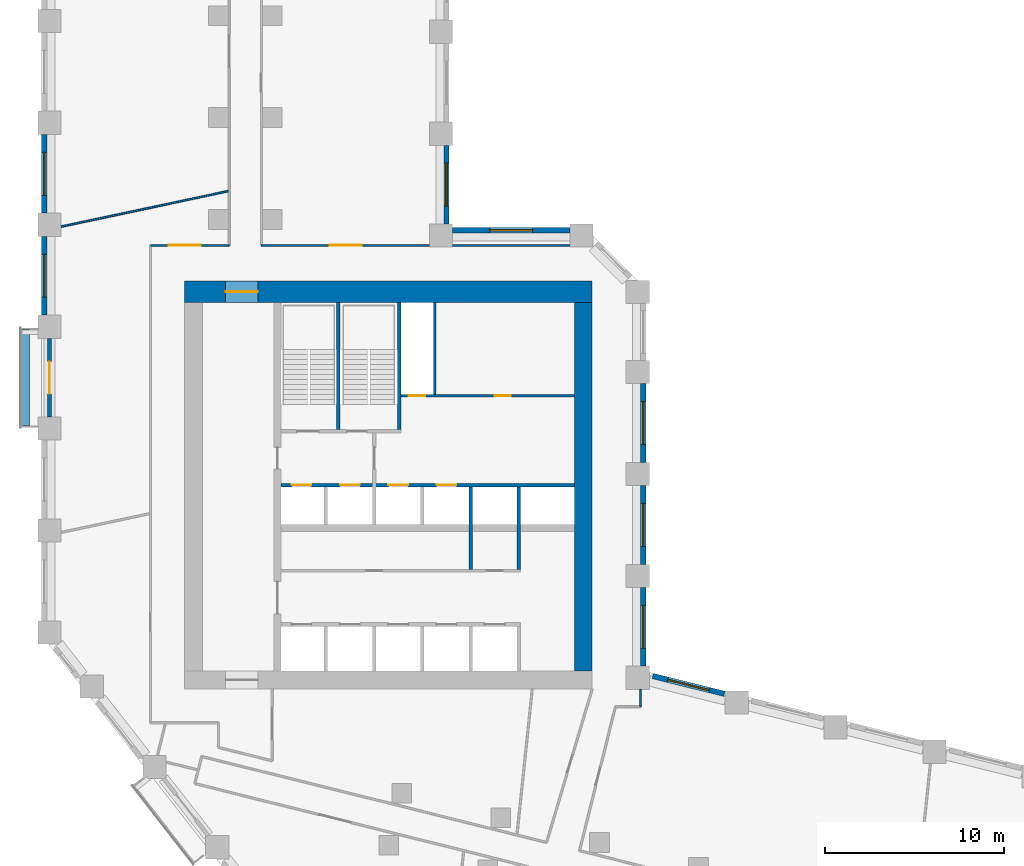
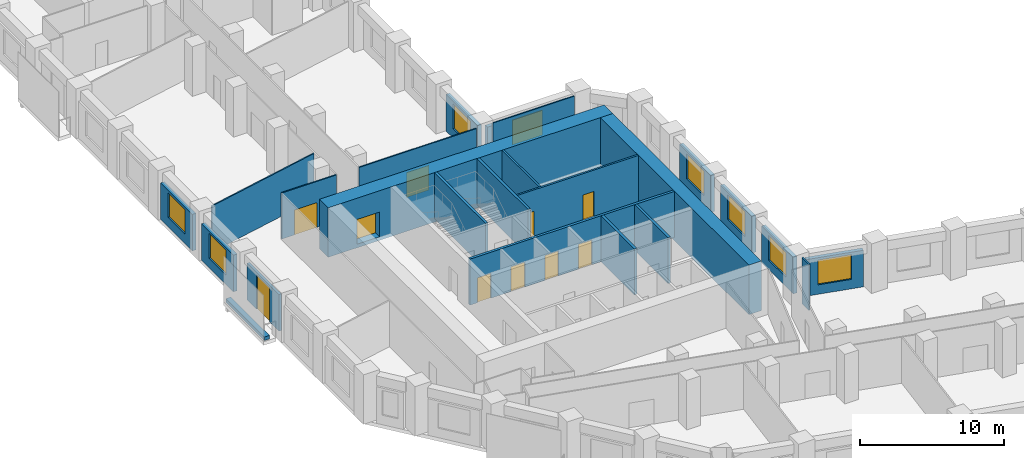
# One storey, part 5 of 11: 24 walls, 10 doors, 8 windows, 18 openings.
"""IFC4 building model written with IfcOpenShell, lengths in metres."""

from ifc_helpers import new_model, si_unit, direction, frame, frame_2d, origin, place, context, subcontext, project, spatial, rectangle, extrude, material, layer, layer_set, type_object, element, fill, save


model = new_model("IFC4")

# Units and contexts
model_context = context("Model", 3, precision=1e-05, world=origin(), true_north=direction((0.0, 1.0)))
body_context = subcontext(model_context, "Body", "Model", "MODEL_VIEW")
ifc_project = project(units=[si_unit("LENGTHUNIT", "METRE"), si_unit("AREAUNIT", "SQUARE_METRE"), si_unit("VOLUMEUNIT", "CUBIC_METRE"), si_unit("PLANEANGLEUNIT", "RADIAN"), si_unit("MASSUNIT", "GRAM", prefix="KILO")], contexts=[model_context])

# Site, building, storey
site_placement = place(None, origin())
site = spatial("IfcSite", under=ifc_project, at=site_placement, CompositionType="ELEMENT")
building_placement = place(site_placement, origin())
building = spatial("IfcBuilding", under=site, at=building_placement, Name="Meshkara Civic Tower", CompositionType="ELEMENT")
storey_placement = place(building_placement, frame((0.0, 0.0, 143.39990234375)))
storey = spatial("IfcBuildingStorey", under=building, at=storey_placement, Name="L32", CompositionType="ELEMENT", Elevation=143.39990234375)

# Wall, openings, doors
ifc_material_1 = material(Name="Blockwork", Category="masonry")
ifc_layer_1 = layer(ifc_material_1, 0.14990234375)
ifc_layer_set_1 = layer_set([ifc_layer_1], Name="Core partition 150")
wall_type_1 = type_object("IfcWallType", Name="Core partition 150", PredefinedType="PARTITIONING", material=ifc_layer_set_1)
wall_1_placement = place(storey_placement, frame((20.10009765625, 30.5, 0.0), z_axis=(0.0, 0.0, 1.0), x_axis=(1.0, 0.0, 0.0)))
wall_1 = element("IfcWall", 1, at=wall_1_placement, inside=storey, type_object=wall_type_1, Name="L32-C010", PredefinedType="PARTITIONING", context=body_context, shape_type="SweptSolid", body=[
    extrude(rectangle(XDim=9.699951171875, YDim=0.14990234375, at=frame_2d((4.85009765625, 0.0))), origin(), (0.0, 0.0, 1.0), 3.900146484375),
])
opening_1_placement = place(wall_1_placement, frame((0.449951171875, 0.0, 0.0)))
opening_1 = element("IfcOpeningElement", 2, at=opening_1_placement, cuts=wall_1, Name="Opening L32-K012", PredefinedType="OPENING", context=body_context, shape_type="SweptSolid", body=[
    extrude(rectangle(XDim=0.89990234375, YDim=2.10009765625, at=frame_2d((0.449951171875, 1.050048828125))), frame((0.0, 0.0849609375, 0.0), z_axis=(0.0, -1.0, 0.0), x_axis=(1.0, 0.0, 0.0)), (0.0, 0.0, 1.0), 0.169921875),
])
opening_2_placement = place(wall_1_placement, frame((5.25, 0.0, 0.0)))
opening_2 = element("IfcOpeningElement", 3, at=opening_2_placement, cuts=wall_1, Name="Opening L32-K013", PredefinedType="OPENING", context=body_context, shape_type="SweptSolid", body=[
    extrude(rectangle(XDim=0.89990234375, YDim=2.10009765625, at=frame_2d((0.449951171875, 1.050048828125))), frame((0.0, 0.0849609375, 0.0), z_axis=(0.0, -1.0, 0.0), x_axis=(1.0, 0.0, 0.0)), (0.0, 0.0, 1.0), 0.169921875),
])
ifc_material_2 = material(Name="Timber door leaf in steel frame", Category="steel")
door_type_1 = type_object("IfcDoorType", Name="Core room door 900", OperationType="SINGLE_SWING_LEFT", PredefinedType="DOOR", material=ifc_material_2)
door_1_placement = place(opening_2_placement, origin())
door_1 = element("IfcDoor", 4, at=door_1_placement, inside=storey, type_object=door_type_1, Name="L32-K013", OperationType="SINGLE_SWING_LEFT", OverallHeight=2.10009765625, OverallWidth=0.89990234375, PredefinedType="DOOR", context=body_context, shape_type="SweptSolid", body=[
    extrude(rectangle(XDim=0.89990234375, YDim=2.10009765625, at=frame_2d((0.449951171875, 1.050048828125))), frame((0.0, 0.02490234375, 0.0), z_axis=(0.0, -1.0, 0.0), x_axis=(1.0, 0.0, 0.0)), (0.0, 0.0, 1.0), 0.050048828125),
])
fill(opening_2, door_1)
ifc_material_3 = material(Name="Fire-rated door leaf in steel frame", Category="steel")
door_type_2 = type_object("IfcDoorType", Name="Riser door 900", OperationType="SINGLE_SWING_LEFT", PredefinedType="DOOR", material=ifc_material_3)
door_2_placement = place(opening_1_placement, origin())
door_2 = element("IfcDoor", 5, at=door_2_placement, inside=storey, type_object=door_type_2, Name="L32-K012", OperationType="SINGLE_SWING_RIGHT", OverallHeight=2.10009765625, OverallWidth=0.89990234375, PredefinedType="DOOR", context=body_context, shape_type="SweptSolid", body=[
    extrude(rectangle(XDim=0.89990234375, YDim=2.10009765625, at=frame_2d((0.449951171875, 1.050048828125))), frame((0.0, 0.02490234375, 0.0), z_axis=(0.0, -1.0, 0.0), x_axis=(1.0, 0.0, 0.0)), (0.0, 0.0, 1.0), 0.050048828125),
])
fill(opening_1, door_2)

# Walls
wall_2_placement = place(storey_placement, frame((22.0, 30.574951171875, 0.0), z_axis=(0.0, 0.0, 1.0), x_axis=(0.0, 1.0, 0.0)))
element("IfcWall", 6, at=wall_2_placement, inside=storey, type_object=wall_type_1, Name="L32-C020", PredefinedType="PARTITIONING", context=body_context, shape_type="SweptSolid", body=[
    extrude(rectangle(XDim=5.125, YDim=0.14990234375, at=frame_2d((2.5625, 0.0))), origin(), (0.0, 0.0, 1.0), 3.900146484375),
])
ifc_material_4 = material(Name="Concrete C70", Category="concrete")
ifc_layer_2 = layer(ifc_material_4, 1.0)
ifc_layer_set_2 = layer_set([ifc_layer_2], Name="Core ring wall 1000 C70")
wall_type_2 = type_object("IfcWallType", Name="Core ring wall 1000 C70", PredefinedType="SHEAR", material=ifc_layer_set_2)
wall_3_placement = place(storey_placement, frame((30.300048828125, 15.10009765625, -0.2998046875), z_axis=(0.0, 0.0, 1.0), x_axis=(0.0, 1.0, 0.0)))
element("IfcWall", 7, at=wall_3_placement, inside=storey, type_object=wall_type_2, Name="L32-C004", PredefinedType="SHEAR", context=body_context, shape_type="SweptSolid", body=[
    extrude(rectangle(XDim=20.599853515625, YDim=1.0, at=frame_2d((10.2998046875, 0.0))), origin(), (0.0, 0.0, 1.0), 4.199951171875),
])

# Wall, opening, door
ifc_material_5 = material(Name="Concrete C70", Category="concrete")
ifc_layer_3 = layer(ifc_material_5, 1.199951171875)
ifc_layer_set_3 = layer_set([ifc_layer_3], Name="Core ring wall 1200 C70")
wall_type_3 = type_object("IfcWallType", Name="Core ring wall 1200 C70", PredefinedType="SHEAR", material=ifc_layer_set_3)
wall_4_placement = place(storey_placement, frame((8.0, 36.300048828125, -0.2998046875), z_axis=(0.0, 0.0, 1.0), x_axis=(1.0, 0.0, 0.0)))
wall_4 = element("IfcWall", 8, at=wall_4_placement, inside=storey, type_object=wall_type_3, Name="L32-C002", PredefinedType="SHEAR", context=body_context, shape_type="SweptSolid", body=[
    extrude(rectangle(XDim=22.800048828125, YDim=1.199951171875, at=frame_2d((11.39990234375, 0.0))), origin(), (0.0, 0.0, 1.0), 4.199951171875),
])
opening_3_placement = place(wall_4_placement, frame((2.300048828125, 0.0, 0.300048828125)))
opening_3 = element("IfcOpeningElement", 9, at=opening_3_placement, cuts=wall_4, Name="Opening L32-K019", PredefinedType="OPENING", context=body_context, shape_type="SweptSolid", body=[
    extrude(rectangle(XDim=1.800048828125, YDim=2.10009765625, at=frame_2d((0.89990234375, 1.050048828125))), frame((0.0, 0.60986328125, 0.0), z_axis=(0.0, -1.0, 0.0), x_axis=(1.0, 0.0, 0.0)), (0.0, 0.0, 1.0), 1.219970703125),
])
ifc_material_6 = material(Name="Fire-rated door leaf in steel frame", Category="steel")
door_type_3 = type_object("IfcDoorType", Name="Core double door 1800 EI 60", OperationType="DOUBLE_DOOR_SINGLE_SWING", PredefinedType="DOOR", material=ifc_material_6)
door_3_placement = place(opening_3_placement, origin())
door_3 = element("IfcDoor", 10, at=door_3_placement, inside=storey, type_object=door_type_3, Name="L32-K019", OperationType="DOUBLE_DOOR_SINGLE_SWING", OverallHeight=2.10009765625, OverallWidth=1.800048828125, PredefinedType="DOOR", context=body_context, shape_type="SweptSolid", body=[
    extrude(rectangle(XDim=1.800048828125, YDim=2.10009765625, at=frame_2d((0.89990234375, 1.050048828125))), frame((0.0, 0.02490234375, 0.0), z_axis=(0.0, -1.0, 0.0), x_axis=(1.0, 0.0, 0.0)), (0.0, 0.0, 1.0), 0.050048828125),
])
fill(opening_3, door_3)

ifc_material_7 = material(Name="Corridor wall 100")
ifc_layer_4 = layer(ifc_material_7, 0.10009765625)
ifc_layer_set_4 = layer_set([ifc_layer_4], Name="Corridor wall 100")
wall_type_4 = type_object("IfcWallType", Name="Corridor wall 100", PredefinedType="PARTITIONING", material=ifc_layer_set_4)
wall_5_placement = place(storey_placement, frame((10.5, 38.89990234375, 0.0), z_axis=(0.0, 0.0, 1.0), x_axis=(-1.0, 0.0, 0.0)))
wall_5 = element("IfcWall", 11, at=wall_5_placement, inside=storey, type_object=wall_type_4, Name="L32-W011", PredefinedType="PARTITIONING", context=body_context, shape_type="SweptSolid", body=[
    extrude(rectangle(XDim=4.39990234375, YDim=0.10009765625, at=frame_2d((2.199951171875, 0.0))), origin(), (0.0, 0.0, 1.0), 3.900146484375),
])
opening_4_placement = place(wall_5_placement, frame((1.580078125, 0.0, 0.0)))
opening_4 = element("IfcOpeningElement", 12, at=opening_4_placement, cuts=wall_5, Name="Opening L32-D016", PredefinedType="OPENING", context=body_context, shape_type="SweptSolid", body=[
    extrude(rectangle(XDim=1.800048828125, YDim=2.10009765625, at=frame_2d((0.89990234375, 1.050048828125))), frame((0.0, 0.06005859375, 0.0), z_axis=(0.0, -1.0, 0.0), x_axis=(1.0, 0.0, 0.0)), (0.0, 0.0, 1.0), 0.1201171875),
])
ifc_material_8 = material(Name="Door pair 1800 x 2100")
door_type_4 = type_object("IfcDoorType", Name="Door pair 1800 x 2100", OperationType="SINGLE_SWING_LEFT", PredefinedType="DOOR", material=ifc_material_8)
door_4_placement = place(opening_4_placement, origin())
door_4 = element("IfcDoor", 13, at=door_4_placement, inside=storey, type_object=door_type_4, Name="L32-D016", OperationType="DOUBLE_DOOR_SINGLE_SWING", OverallHeight=2.10009765625, OverallWidth=1.800048828125, PredefinedType="DOOR", context=body_context, shape_type="SweptSolid", body=[
    extrude(rectangle(XDim=1.800048828125, YDim=2.10009765625, at=frame_2d((0.89990234375, 1.050048828125))), frame((0.0, 0.02490234375, 0.0), z_axis=(0.0, -1.0, 0.0), x_axis=(1.0, 0.0, 0.0)), (0.0, 0.0, 1.0), 0.050048828125),
])
fill(opening_4, door_4)

wall_6_placement = place(storey_placement, frame((21.699951171875, 38.89990234375, 0.0), z_axis=(0.0, 0.0, 1.0), x_axis=(-1.0, 0.0, 0.0)))
wall_6 = element("IfcWall", 14, at=wall_6_placement, inside=storey, type_object=wall_type_4, Name="L32-W018", PredefinedType="PARTITIONING", context=body_context, shape_type="SweptSolid", body=[
    extrude(rectangle(XDim=9.39990234375, YDim=0.10009765625, at=frame_2d((4.699951171875, 0.0))), origin(), (0.0, 0.0, 1.0), 3.900146484375),
])
opening_5_placement = place(wall_6_placement, frame((3.780029296875, 0.0, 0.0)))
opening_5 = element("IfcOpeningElement", 15, at=opening_5_placement, cuts=wall_6, Name="Opening L32-D017", PredefinedType="OPENING", context=body_context, shape_type="SweptSolid", body=[
    extrude(rectangle(XDim=1.800048828125, YDim=2.10009765625, at=frame_2d((0.89990234375, 1.050048828125))), frame((0.0, 0.06005859375, 0.0), z_axis=(0.0, -1.0, 0.0), x_axis=(1.0, 0.0, 0.0)), (0.0, 0.0, 1.0), 0.1201171875),
])
door_5_placement = place(opening_5_placement, origin())
door_5 = element("IfcDoor", 16, at=door_5_placement, inside=storey, type_object=door_type_4, Name="L32-D017", OperationType="DOUBLE_DOOR_SINGLE_SWING", OverallHeight=2.10009765625, OverallWidth=1.800048828125, PredefinedType="DOOR", context=body_context, shape_type="SweptSolid", body=[
    extrude(rectangle(XDim=1.800048828125, YDim=2.10009765625, at=frame_2d((0.89990234375, 1.050048828125))), frame((0.0, 0.02490234375, 0.0), z_axis=(0.0, -1.0, 0.0), x_axis=(1.0, 0.0, 0.0)), (0.0, 0.0, 1.0), 0.050048828125),
])
fill(opening_5, door_5)

# Walls
wall_7_placement = place(storey_placement, frame((29.5439453125, 38.89990234375, 0.0), z_axis=(0.0, 0.0, 1.0), x_axis=(-1.0, 0.0, 0.0)))
element("IfcWall", 17, at=wall_7_placement, inside=storey, type_object=wall_type_4, Name="L32-W019", PredefinedType="PARTITIONING", context=body_context, shape_type="SweptSolid", body=[
    extrude(rectangle(XDim=6.5439453125, YDim=0.10009765625, at=frame_2d((3.27197265625, 0.0))), origin(), (0.0, 0.0, 1.0), 3.900146484375),
])
wall_8_placement = place(storey_placement, frame((33.5, 13.10009765625, 0.0), z_axis=(0.0, 0.0, 1.0), x_axis=(0.0, 1.0, 0.0)))
element("IfcWall", 18, at=wall_8_placement, inside=storey, type_object=wall_type_4, Name="L32-W024", PredefinedType="PARTITIONING", context=body_context, shape_type="SweptSolid", body=[
    extrude(rectangle(XDim=0.968994140625, YDim=0.10009765625, at=frame_2d((0.484375, 0.0))), origin(), (0.0, 0.0, 1.0), 3.900146484375),
])

# Wall, opening, window
ifc_material_9 = material(Name="Insulated infill panel with bronze anodised aluminium cladding", Category="aluminium")
ifc_layer_5 = layer(ifc_material_9, 0.300048828125)
ifc_layer_set_5 = layer_set([ifc_layer_5], Name="EXTERNAL INFILL WALL 300")
wall_type_5 = type_object("IfcWallType", Name="EXTERNAL INFILL WALL 300", PredefinedType="SOLIDWALL", material=ifc_layer_set_5)
wall_9_placement = place(storey_placement, frame((38.18896484375, 13.822021484375, 0.0), z_axis=(0.0, 0.0, 1.0), x_axis=(-0.970281616392, 0.241978480223, 0.0)))
wall_9 = element("IfcWall", 19, at=wall_9_placement, inside=storey, type_object=wall_type_5, Name="External wall", PredefinedType="SOLIDWALL", context=body_context, shape_type="SweptSolid", body=[
    extrude(rectangle(XDim=4.12451171875, YDim=0.300048828125, at=frame_2d((2.062255859375, 0.0))), origin(), (0.0, 0.0, 1.0), 3.10009765625),
])
opening_6_placement = place(wall_9_placement, frame((0.862060546875, 0.0, 0.800048828125)))
opening_6 = element("IfcOpeningElement", 20, at=opening_6_placement, cuts=wall_9, Name="Opening W7", PredefinedType="OPENING", context=body_context, shape_type="SweptSolid", body=[
    extrude(rectangle(XDim=2.39990234375, YDim=2.10009765625, at=frame_2d((1.199951171875, 1.050048828125))), frame((0.0, 0.159912109375, 0.0), z_axis=(0.0, -1.0, 0.0), x_axis=(1.0, 0.0, 0.0)), (0.0, 0.0, 1.0), 0.320068359375),
])
ifc_material_10 = material(Name="Tinted double glazing", Category="glass")
window_type = type_object("IfcWindowType", Name="WINDOW 2400x2100", PartitioningType="DOUBLE_PANEL_VERTICAL", PredefinedType="WINDOW", material=ifc_material_10)
window_1_placement = place(opening_6_placement, origin())
window_1 = element("IfcWindow", 21, at=window_1_placement, inside=storey, type_object=window_type, Name="Window", OverallHeight=2.10009765625, OverallWidth=2.39990234375, PartitioningType="DOUBLE_PANEL_VERTICAL", PredefinedType="WINDOW", context=body_context, shape_type="SweptSolid", body=[
    extrude(rectangle(XDim=2.39990234375, YDim=2.10009765625, at=frame_2d((1.199951171875, 1.050048828125))), frame((0.0, 0.030029296875, 0.0), z_axis=(0.0, -1.0, 0.0), x_axis=(1.0, 0.0, 0.0)), (0.0, 0.0, 1.0), 0.06005859375),
])
fill(opening_6, window_1)

wall_10_placement = place(storey_placement, frame((33.64990234375, 15.368896484375, 0.0), z_axis=(0.0, 0.0, 1.0), x_axis=(0.0, 1.0, 0.0)))
wall_10 = element("IfcWall", 22, at=wall_10_placement, inside=storey, type_object=wall_type_5, Name="External wall", PredefinedType="SOLIDWALL", context=body_context, shape_type="SweptSolid", body=[
    extrude(rectangle(XDim=4.400146484375, YDim=0.300048828125, at=frame_2d((2.2001953125, 0.0))), origin(), (0.0, 0.0, 1.0), 3.10009765625),
])
opening_7_placement = place(wall_10_placement, frame((1.0, 0.0, 0.800048828125)))
opening_7 = element("IfcOpeningElement", 23, at=opening_7_placement, cuts=wall_10, Name="Opening W7", PredefinedType="OPENING", context=body_context, shape_type="SweptSolid", body=[
    extrude(rectangle(XDim=2.39990234375, YDim=2.10009765625, at=frame_2d((1.199951171875, 1.050048828125))), frame((0.0, 0.159912109375, 0.0), z_axis=(0.0, -1.0, 0.0), x_axis=(1.0, 0.0, 0.0)), (0.0, 0.0, 1.0), 0.320068359375),
])
window_2_placement = place(opening_7_placement, origin())
window_2 = element("IfcWindow", 24, at=window_2_placement, inside=storey, type_object=window_type, Name="Window", OverallHeight=2.10009765625, OverallWidth=2.39990234375, PartitioningType="DOUBLE_PANEL_VERTICAL", PredefinedType="WINDOW", context=body_context, shape_type="SweptSolid", body=[
    extrude(rectangle(XDim=2.39990234375, YDim=2.10009765625, at=frame_2d((1.199951171875, 1.050048828125))), frame((0.0, 0.030029296875, 0.0), z_axis=(0.0, -1.0, 0.0), x_axis=(1.0, 0.0, 0.0)), (0.0, 0.0, 1.0), 0.06005859375),
])
fill(opening_7, window_2)

wall_11_placement = place(storey_placement, frame((33.64990234375, 21.069091796875, 0.0), z_axis=(0.0, 0.0, 1.0), x_axis=(0.0, 1.0, 0.0)))
wall_11 = element("IfcWall", 25, at=wall_11_placement, inside=storey, type_object=wall_type_5, Name="External wall", PredefinedType="SOLIDWALL", context=body_context, shape_type="SweptSolid", body=[
    extrude(rectangle(XDim=4.39990234375, YDim=0.300048828125, at=frame_2d((2.199951171875, 0.0))), origin(), (0.0, 0.0, 1.0), 3.10009765625),
])
opening_8_placement = place(wall_11_placement, frame((1.0, 0.0, 0.800048828125)))
opening_8 = element("IfcOpeningElement", 26, at=opening_8_placement, cuts=wall_11, Name="Opening W7", PredefinedType="OPENING", context=body_context, shape_type="SweptSolid", body=[
    extrude(rectangle(XDim=2.39990234375, YDim=2.10009765625, at=frame_2d((1.199951171875, 1.050048828125))), frame((0.0, 0.159912109375, 0.0), z_axis=(0.0, -1.0, 0.0), x_axis=(1.0, 0.0, 0.0)), (0.0, 0.0, 1.0), 0.320068359375),
])
window_3_placement = place(opening_8_placement, origin())
window_3 = element("IfcWindow", 27, at=window_3_placement, inside=storey, type_object=window_type, Name="Window", OverallHeight=2.10009765625, OverallWidth=2.39990234375, PartitioningType="DOUBLE_PANEL_VERTICAL", PredefinedType="WINDOW", context=body_context, shape_type="SweptSolid", body=[
    extrude(rectangle(XDim=2.39990234375, YDim=2.10009765625, at=frame_2d((1.199951171875, 1.050048828125))), frame((0.0, 0.030029296875, 0.0), z_axis=(0.0, -1.0, 0.0), x_axis=(1.0, 0.0, 0.0)), (0.0, 0.0, 1.0), 0.06005859375),
])
fill(opening_8, window_3)

wall_12_placement = place(storey_placement, frame((33.64990234375, 26.76904296875, 0.0), z_axis=(0.0, 0.0, 1.0), x_axis=(0.0, 1.0, 0.0)))
wall_12 = element("IfcWall", 28, at=wall_12_placement, inside=storey, type_object=wall_type_5, Name="External wall", PredefinedType="SOLIDWALL", context=body_context, shape_type="SweptSolid", body=[
    extrude(rectangle(XDim=4.39990234375, YDim=0.300048828125, at=frame_2d((2.199951171875, 0.0))), origin(), (0.0, 0.0, 1.0), 3.10009765625),
])
opening_9_placement = place(wall_12_placement, frame((1.0, 0.0, 0.800048828125)))
opening_9 = element("IfcOpeningElement", 29, at=opening_9_placement, cuts=wall_12, Name="Opening W7", PredefinedType="OPENING", context=body_context, shape_type="SweptSolid", body=[
    extrude(rectangle(XDim=2.39990234375, YDim=2.10009765625, at=frame_2d((1.199951171875, 1.050048828125))), frame((0.0, 0.159912109375, 0.0), z_axis=(0.0, -1.0, 0.0), x_axis=(1.0, 0.0, 0.0)), (0.0, 0.0, 1.0), 0.320068359375),
])
window_4_placement = place(opening_9_placement, origin())
window_4 = element("IfcWindow", 30, at=window_4_placement, inside=storey, type_object=window_type, Name="Window", OverallHeight=2.10009765625, OverallWidth=2.39990234375, PartitioningType="DOUBLE_PANEL_VERTICAL", PredefinedType="WINDOW", context=body_context, shape_type="SweptSolid", body=[
    extrude(rectangle(XDim=2.39990234375, YDim=2.10009765625, at=frame_2d((1.199951171875, 1.050048828125))), frame((0.0, 0.030029296875, 0.0), z_axis=(0.0, -1.0, 0.0), x_axis=(1.0, 0.0, 0.0)), (0.0, 0.0, 1.0), 0.06005859375),
])
fill(opening_9, window_4)

wall_13_placement = place(storey_placement, frame((29.5439453125, 39.75, 0.0), z_axis=(0.0, 0.0, 1.0), x_axis=(-1.0, 0.0, 0.0)))
wall_13 = element("IfcWall", 31, at=wall_13_placement, inside=storey, type_object=wall_type_5, Name="External wall", PredefinedType="SOLIDWALL", context=body_context, shape_type="SweptSolid", body=[
    extrude(rectangle(XDim=6.5439453125, YDim=0.300048828125, at=frame_2d((3.27197265625, 0.0))), origin(), (0.0, 0.0, 1.0), 3.10009765625),
])
opening_10_placement = place(wall_13_placement, frame((2.072021484375, 0.0, 0.800048828125)))
opening_10 = element("IfcOpeningElement", 32, at=opening_10_placement, cuts=wall_13, Name="Opening W7", PredefinedType="OPENING", context=body_context, shape_type="SweptSolid", body=[
    extrude(rectangle(XDim=2.39990234375, YDim=2.10009765625, at=frame_2d((1.199951171875, 1.050048828125))), frame((0.0, 0.159912109375, 0.0), z_axis=(0.0, -1.0, 0.0), x_axis=(1.0, 0.0, 0.0)), (0.0, 0.0, 1.0), 0.320068359375),
])
window_5_placement = place(opening_10_placement, origin())
window_5 = element("IfcWindow", 33, at=window_5_placement, inside=storey, type_object=window_type, Name="Window", OverallHeight=2.10009765625, OverallWidth=2.39990234375, PartitioningType="DOUBLE_PANEL_VERTICAL", PredefinedType="WINDOW", context=body_context, shape_type="SweptSolid", body=[
    extrude(rectangle(XDim=2.39990234375, YDim=2.10009765625, at=frame_2d((1.199951171875, 1.050048828125))), frame((0.0, 0.030029296875, 0.0), z_axis=(0.0, -1.0, 0.0), x_axis=(1.0, 0.0, 0.0)), (0.0, 0.0, 1.0), 0.06005859375),
])
fill(opening_10, window_5)

wall_14_placement = place(storey_placement, frame((22.64990234375, 40.10009765625, 0.0), z_axis=(0.0, 0.0, 1.0), x_axis=(0.0, 1.0, 0.0)))
wall_14 = element("IfcWall", 34, at=wall_14_placement, inside=storey, type_object=wall_type_5, Name="External wall", PredefinedType="SOLIDWALL", context=body_context, shape_type="SweptSolid", body=[
    extrude(rectangle(XDim=4.39990234375, YDim=0.300048828125, at=frame_2d((2.199951171875, 0.0))), origin(), (0.0, 0.0, 1.0), 3.10009765625),
])
opening_11_placement = place(wall_14_placement, frame((1.0, 0.0, 0.800048828125)))
opening_11 = element("IfcOpeningElement", 35, at=opening_11_placement, cuts=wall_14, Name="Opening W7", PredefinedType="OPENING", context=body_context, shape_type="SweptSolid", body=[
    extrude(rectangle(XDim=2.39990234375, YDim=2.10009765625, at=frame_2d((1.199951171875, 1.050048828125))), frame((0.0, 0.159912109375, 0.0), z_axis=(0.0, -1.0, 0.0), x_axis=(1.0, 0.0, 0.0)), (0.0, 0.0, 1.0), 0.320068359375),
])
window_6_placement = place(opening_11_placement, origin())
window_6 = element("IfcWindow", 36, at=window_6_placement, inside=storey, type_object=window_type, Name="Window", OverallHeight=2.10009765625, OverallWidth=2.39990234375, PartitioningType="DOUBLE_PANEL_VERTICAL", PredefinedType="WINDOW", context=body_context, shape_type="SweptSolid", body=[
    extrude(rectangle(XDim=2.39990234375, YDim=2.10009765625, at=frame_2d((1.199951171875, 1.050048828125))), frame((0.0, 0.030029296875, 0.0), z_axis=(0.0, -1.0, 0.0), x_axis=(1.0, 0.0, 0.0)), (0.0, 0.0, 1.0), 0.06005859375),
])
fill(opening_11, window_6)

wall_15_placement = place(storey_placement, frame((0.14990234375, 45.10498046875, 0.0), z_axis=(0.0, 0.0, 1.0), x_axis=(0.0, -1.0, 0.0)))
wall_15 = element("IfcWall", 37, at=wall_15_placement, inside=storey, type_object=wall_type_5, Name="External wall", PredefinedType="SOLIDWALL", context=body_context, shape_type="SweptSolid", body=[
    extrude(rectangle(XDim=4.39990234375, YDim=0.300048828125, at=frame_2d((2.199951171875, 0.0))), origin(), (0.0, 0.0, 1.0), 3.10009765625),
])
opening_12_placement = place(wall_15_placement, frame((1.0, 0.0, 0.800048828125)))
opening_12 = element("IfcOpeningElement", 38, at=opening_12_placement, cuts=wall_15, Name="Opening W7", PredefinedType="OPENING", context=body_context, shape_type="SweptSolid", body=[
    extrude(rectangle(XDim=2.39990234375, YDim=2.10009765625, at=frame_2d((1.199951171875, 1.050048828125))), frame((0.0, 0.159912109375, 0.0), z_axis=(0.0, -1.0, 0.0), x_axis=(1.0, 0.0, 0.0)), (0.0, 0.0, 1.0), 0.320068359375),
])
window_7_placement = place(opening_12_placement, origin())
window_7 = element("IfcWindow", 39, at=window_7_placement, inside=storey, type_object=window_type, Name="Window", OverallHeight=2.10009765625, OverallWidth=2.39990234375, PartitioningType="DOUBLE_PANEL_VERTICAL", PredefinedType="WINDOW", context=body_context, shape_type="SweptSolid", body=[
    extrude(rectangle(XDim=2.39990234375, YDim=2.10009765625, at=frame_2d((1.199951171875, 1.050048828125))), frame((0.0, 0.030029296875, 0.0), z_axis=(0.0, -1.0, 0.0), x_axis=(1.0, 0.0, 0.0)), (0.0, 0.0, 1.0), 0.06005859375),
])
fill(opening_12, window_7)

wall_16_placement = place(storey_placement, frame((0.14990234375, 39.405029296875, 0.0), z_axis=(0.0, 0.0, 1.0), x_axis=(0.0, -1.0, 0.0)))
wall_16 = element("IfcWall", 40, at=wall_16_placement, inside=storey, type_object=wall_type_5, Name="External wall", PredefinedType="SOLIDWALL", context=body_context, shape_type="SweptSolid", body=[
    extrude(rectangle(XDim=4.400146484375, YDim=0.300048828125, at=frame_2d((2.2001953125, 0.0))), origin(), (0.0, 0.0, 1.0), 3.10009765625),
])
opening_13_placement = place(wall_16_placement, frame((1.0, 0.0, 0.800048828125)))
opening_13 = element("IfcOpeningElement", 41, at=opening_13_placement, cuts=wall_16, Name="Opening W7", PredefinedType="OPENING", context=body_context, shape_type="SweptSolid", body=[
    extrude(rectangle(XDim=2.39990234375, YDim=2.10009765625, at=frame_2d((1.199951171875, 1.050048828125))), frame((0.0, 0.159912109375, 0.0), z_axis=(0.0, -1.0, 0.0), x_axis=(1.0, 0.0, 0.0)), (0.0, 0.0, 1.0), 0.320068359375),
])
window_8_placement = place(opening_13_placement, origin())
window_8 = element("IfcWindow", 42, at=window_8_placement, inside=storey, type_object=window_type, Name="Window", OverallHeight=2.10009765625, OverallWidth=2.39990234375, PartitioningType="DOUBLE_PANEL_VERTICAL", PredefinedType="WINDOW", context=body_context, shape_type="SweptSolid", body=[
    extrude(rectangle(XDim=2.39990234375, YDim=2.10009765625, at=frame_2d((1.199951171875, 1.050048828125))), frame((0.0, 0.030029296875, 0.0), z_axis=(0.0, -1.0, 0.0), x_axis=(1.0, 0.0, 0.0)), (0.0, 0.0, 1.0), 0.06005859375),
])
fill(opening_13, window_8)

# Wall, opening, door
ifc_material_11 = material(Name="Insulated infill panel with bronze anodised aluminium cladding", Category="aluminium")
ifc_layer_6 = layer(ifc_material_11, 0.199951171875)
ifc_layer_set_6 = layer_set([ifc_layer_6], Name="LOGGIA BACK WALL 200")
wall_type_6 = type_object("IfcWallType", Name="LOGGIA BACK WALL 200", PredefinedType="SOLIDWALL", material=ifc_layer_set_6)
wall_17_placement = place(storey_placement, frame((0.449951171875, 33.7041015625, 0.0), z_axis=(0.0, 0.0, 1.0), x_axis=(0.0, -1.0, 0.0)))
wall_17 = element("IfcWall", 43, at=wall_17_placement, inside=storey, type_object=wall_type_6, Name="Loggia wall", PredefinedType="SOLIDWALL", context=body_context, shape_type="SweptSolid", body=[
    extrude(rectangle(XDim=4.398193359375, YDim=0.199951171875, at=frame_2d((2.19921875, 0.0))), origin(), (0.0, 0.0, 1.0), 3.10009765625),
])
opening_14_placement = place(wall_17_placement, frame((1.300048828125, 0.0, 0.0)))
opening_14 = element("IfcOpeningElement", 44, at=opening_14_placement, cuts=wall_17, Name="Opening L32-L002", PredefinedType="OPENING", context=body_context, shape_type="SweptSolid", body=[
    extrude(rectangle(XDim=1.800048828125, YDim=2.89990234375, at=frame_2d((0.89990234375, 1.449951171875))), frame((0.0, 0.10986328125, 0.0), z_axis=(0.0, -1.0, 0.0), x_axis=(1.0, 0.0, 0.0)), (0.0, 0.0, 1.0), 0.219970703125),
])
ifc_material_12 = material(Name="Tinted double glazing", Category="glass")
door_type_5 = type_object("IfcDoorType", Name="LOGGIA DOOR 1800x2900", OperationType="DOUBLE_DOOR_SINGLE_SWING", PredefinedType="DOOR", material=ifc_material_12)
door_6_placement = place(opening_14_placement, origin())
door_6 = element("IfcDoor", 45, at=door_6_placement, inside=storey, type_object=door_type_5, Name="L32-L002", OperationType="DOUBLE_DOOR_SINGLE_SWING", OverallHeight=2.89990234375, OverallWidth=1.800048828125, PredefinedType="DOOR", context=body_context, shape_type="SweptSolid", body=[
    extrude(rectangle(XDim=1.800048828125, YDim=2.89990234375, at=frame_2d((0.89990234375, 1.449951171875))), frame((0.0, 0.02490234375, 0.0), z_axis=(0.0, -1.0, 0.0), x_axis=(1.0, 0.0, 0.0)), (0.0, 0.0, 1.0), 0.050048828125),
])
fill(opening_14, door_6)

# Walls
ifc_material_13 = material(Name="Concrete C40", Category="concrete")
ifc_layer_7 = layer(ifc_material_13, 0.39990234375)
ifc_layer_set_7 = layer_set([ifc_layer_7], Name="PLANTER TRAY")
wall_type_7 = type_object("IfcWallType", Name="PLANTER TRAY", PredefinedType="SOLIDWALL", material=ifc_layer_set_7)
wall_18_placement = place(storey_placement, frame((-0.8798828125, 34.18505859375, 0.0), z_axis=(0.0, 0.0, 1.0), x_axis=(0.0, -1.0, 0.0)))
element("IfcWall", 46, at=wall_18_placement, inside=storey, type_object=wall_type_7, Name="Planter", PredefinedType="SOLIDWALL", context=body_context, shape_type="SweptSolid", body=[
    extrude(rectangle(XDim=5.360107421875, YDim=0.39990234375, at=frame_2d((2.68017578125, 0.0))), origin(), (0.0, 0.0, 1.0), 0.300048828125),
])
ifc_material_14 = material(Name="Partition 100")
ifc_layer_8 = layer(ifc_material_14, 0.10009765625)
ifc_layer_set_8 = layer_set([ifc_layer_8], Name="Partition 100")
wall_type_8 = type_object("IfcWallType", Name="Partition 100", PredefinedType="PARTITIONING", material=ifc_layer_set_8)
wall_19_placement = place(storey_placement, frame((10.43994140625, 41.93408203125, 0.0), z_axis=(0.0, 0.0, 1.0), x_axis=(-0.978129729955, -0.207995748463, 0.0)))
element("IfcWall", 47, at=wall_19_placement, inside=storey, type_object=wall_type_8, Name="L32-W036", PredefinedType="PARTITIONING", context=body_context, shape_type="SweptSolid", body=[
    extrude(rectangle(XDim=9.548583984375, YDim=0.10009765625, at=frame_2d((4.7744140625, 0.0))), origin(), (0.0, 0.0, 1.0), 3.900146484375),
])

# Wall, openings, doors
ifc_material_15 = material(Name="Concrete C40/50", Category="concrete")
ifc_layer_9 = layer(ifc_material_15, 0.199951171875)
ifc_layer_set_9 = layer_set([ifc_layer_9], Name="Shaft wall 200 C40/50")
wall_type_9 = type_object("IfcWallType", Name="Shaft wall 200 C40/50", PredefinedType="SOLIDWALL", material=ifc_layer_set_9)
wall_20_placement = place(storey_placement, frame((13.39990234375, 25.5, 0.0), z_axis=(0.0, 0.0, 1.0), x_axis=(1.0, 0.0, 0.0)))
wall_20 = element("IfcWall", 48, at=wall_20_placement, inside=storey, type_object=wall_type_9, Name="L32-C008", PredefinedType="SOLIDWALL", context=body_context, shape_type="SweptSolid", body=[
    extrude(rectangle(XDim=16.400146484375, YDim=0.199951171875, at=frame_2d((8.2001953125, 0.0))), origin(), (0.0, 0.0, 1.0), 3.900146484375),
])
opening_15_placement = place(wall_20_placement, frame((0.60009765625, 0.0, 0.0)))
opening_15 = element("IfcOpeningElement", 49, at=opening_15_placement, cuts=wall_20, Name="Opening L32-K006", PredefinedType="OPENING", context=body_context, shape_type="SweptSolid", body=[
    extrude(rectangle(XDim=1.10009765625, YDim=2.10009765625, at=frame_2d((0.550048828125, 1.050048828125))), frame((0.0, 0.10986328125, 0.0), z_axis=(0.0, -1.0, 0.0), x_axis=(1.0, 0.0, 0.0)), (0.0, 0.0, 1.0), 0.219970703125),
])
opening_16_placement = place(wall_20_placement, frame((3.300048828125, 0.0, 0.0)))
opening_16 = element("IfcOpeningElement", 50, at=opening_16_placement, cuts=wall_20, Name="Opening L32-K007", PredefinedType="OPENING", context=body_context, shape_type="SweptSolid", body=[
    extrude(rectangle(XDim=1.10009765625, YDim=2.10009765625, at=frame_2d((0.550048828125, 1.050048828125))), frame((0.0, 0.10986328125, 0.0), z_axis=(0.0, -1.0, 0.0), x_axis=(1.0, 0.0, 0.0)), (0.0, 0.0, 1.0), 0.219970703125),
])
opening_17_placement = place(wall_20_placement, frame((6.0, 0.0, 0.0)))
opening_17 = element("IfcOpeningElement", 51, at=opening_17_placement, cuts=wall_20, Name="Opening L32-K008", PredefinedType="OPENING", context=body_context, shape_type="SweptSolid", body=[
    extrude(rectangle(XDim=1.10009765625, YDim=2.10009765625, at=frame_2d((0.550048828125, 1.050048828125))), frame((0.0, 0.10986328125, 0.0), z_axis=(0.0, -1.0, 0.0), x_axis=(1.0, 0.0, 0.0)), (0.0, 0.0, 1.0), 0.219970703125),
])
opening_18_placement = place(wall_20_placement, frame((8.699951171875, 0.0, 0.0)))
opening_18 = element("IfcOpeningElement", 52, at=opening_18_placement, cuts=wall_20, Name="Opening L32-K009", PredefinedType="OPENING", context=body_context, shape_type="SweptSolid", body=[
    extrude(rectangle(XDim=1.10009765625, YDim=2.10009765625, at=frame_2d((0.550048828125, 1.050048828125))), frame((0.0, 0.10986328125, 0.0), z_axis=(0.0, -1.0, 0.0), x_axis=(1.0, 0.0, 0.0)), (0.0, 0.0, 1.0), 0.219970703125),
])
ifc_material_16 = material(Name="Stainless steel landing door", Category="steel")
door_type_6 = type_object("IfcDoorType", Name="Lift landing door 1100", OperationType="SLIDING_TO_LEFT", PredefinedType="DOOR", material=ifc_material_16)
door_7_placement = place(opening_15_placement, origin())
door_7 = element("IfcDoor", 53, at=door_7_placement, inside=storey, type_object=door_type_6, Name="L32-K006", OperationType="SLIDING_TO_LEFT", OverallHeight=2.10009765625, OverallWidth=1.10009765625, PredefinedType="DOOR", context=body_context, shape_type="SweptSolid", body=[
    extrude(rectangle(XDim=1.10009765625, YDim=2.10009765625, at=frame_2d((0.550048828125, 1.050048828125))), frame((0.0, 0.02490234375, 0.0), z_axis=(0.0, -1.0, 0.0), x_axis=(1.0, 0.0, 0.0)), (0.0, 0.0, 1.0), 0.050048828125),
])
fill(opening_15, door_7)
door_8_placement = place(opening_16_placement, origin())
door_8 = element("IfcDoor", 54, at=door_8_placement, inside=storey, type_object=door_type_6, Name="L32-K007", OperationType="SLIDING_TO_LEFT", OverallHeight=2.10009765625, OverallWidth=1.10009765625, PredefinedType="DOOR", context=body_context, shape_type="SweptSolid", body=[
    extrude(rectangle(XDim=1.10009765625, YDim=2.10009765625, at=frame_2d((0.550048828125, 1.050048828125))), frame((0.0, 0.02490234375, 0.0), z_axis=(0.0, -1.0, 0.0), x_axis=(1.0, 0.0, 0.0)), (0.0, 0.0, 1.0), 0.050048828125),
])
fill(opening_16, door_8)
door_9_placement = place(opening_17_placement, origin())
door_9 = element("IfcDoor", 55, at=door_9_placement, inside=storey, type_object=door_type_6, Name="L32-K008", OperationType="SLIDING_TO_LEFT", OverallHeight=2.10009765625, OverallWidth=1.10009765625, PredefinedType="DOOR", context=body_context, shape_type="SweptSolid", body=[
    extrude(rectangle(XDim=1.10009765625, YDim=2.10009765625, at=frame_2d((0.550048828125, 1.050048828125))), frame((0.0, 0.02490234375, 0.0), z_axis=(0.0, -1.0, 0.0), x_axis=(1.0, 0.0, 0.0)), (0.0, 0.0, 1.0), 0.050048828125),
])
fill(opening_17, door_9)
door_10_placement = place(opening_18_placement, origin())
door_10 = element("IfcDoor", 56, at=door_10_placement, inside=storey, type_object=door_type_6, Name="L32-K009", OperationType="SLIDING_TO_LEFT", OverallHeight=2.10009765625, OverallWidth=1.10009765625, PredefinedType="DOOR", context=body_context, shape_type="SweptSolid", body=[
    extrude(rectangle(XDim=1.10009765625, YDim=2.10009765625, at=frame_2d((0.550048828125, 1.050048828125))), frame((0.0, 0.02490234375, 0.0), z_axis=(0.0, -1.0, 0.0), x_axis=(1.0, 0.0, 0.0)), (0.0, 0.0, 1.0), 0.050048828125),
])
fill(opening_18, door_10)

# Walls
for number, where, z_axis, x_axis, name in (
    (57, (24.0, 20.77490234375, 0.0), (0.0, 0.0, 1.0), (0.0, 1.0, 0.0), "L32-C022"),
    (58, (26.699951171875, 20.77490234375, 0.0), (0.0, 0.0, 1.0), (0.0, 1.0, 0.0), "L32-C024"),
):
    element("IfcWall", number, at=place(storey_placement, frame(where, z_axis=z_axis, x_axis=x_axis)), inside=storey, type_object=wall_type_9, Name=name, PredefinedType="SOLIDWALL", context=body_context, shape_type="SweptSolid", body=[
        extrude(rectangle(XDim=4.625, YDim=0.199951171875, at=frame_2d((2.3125, 0.0))), origin(), (0.0, 0.0, 1.0), 3.900146484375),
    ])
ifc_material_17 = material(Name="Concrete C40/50", Category="concrete")
ifc_layer_10 = layer(ifc_material_17, 0.199951171875)
ifc_layer_set_10 = layer_set([ifc_layer_10], Name="Stair enclosure wall 200 C40/50")
wall_type_10 = type_object("IfcWallType", Name="Stair enclosure wall 200 C40/50", PredefinedType="SOLIDWALL", material=ifc_layer_set_10)
for number, where, z_axis, x_axis, name in (
    (59, (16.60009765625, 28.60009765625, 0.0), (0.0, 0.0, 1.0), (0.0, 1.0, 0.0), "L32-C014"),
    (60, (20.0, 28.60009765625, 0.0), (0.0, 0.0, 1.0), (0.0, 1.0, 0.0), "L32-C017"),
):
    element("IfcWall", number, at=place(storey_placement, frame(where, z_axis=z_axis, x_axis=x_axis)), inside=storey, type_object=wall_type_10, Name=name, PredefinedType="SOLIDWALL", context=body_context, shape_type="SweptSolid", body=[
        extrude(rectangle(XDim=7.099853515625, YDim=0.199951171875, at=frame_2d((3.5498046875, 0.0))), origin(), (0.0, 0.0, 1.0), 3.900146484375),
    ])

save(model, "model.ifc")
